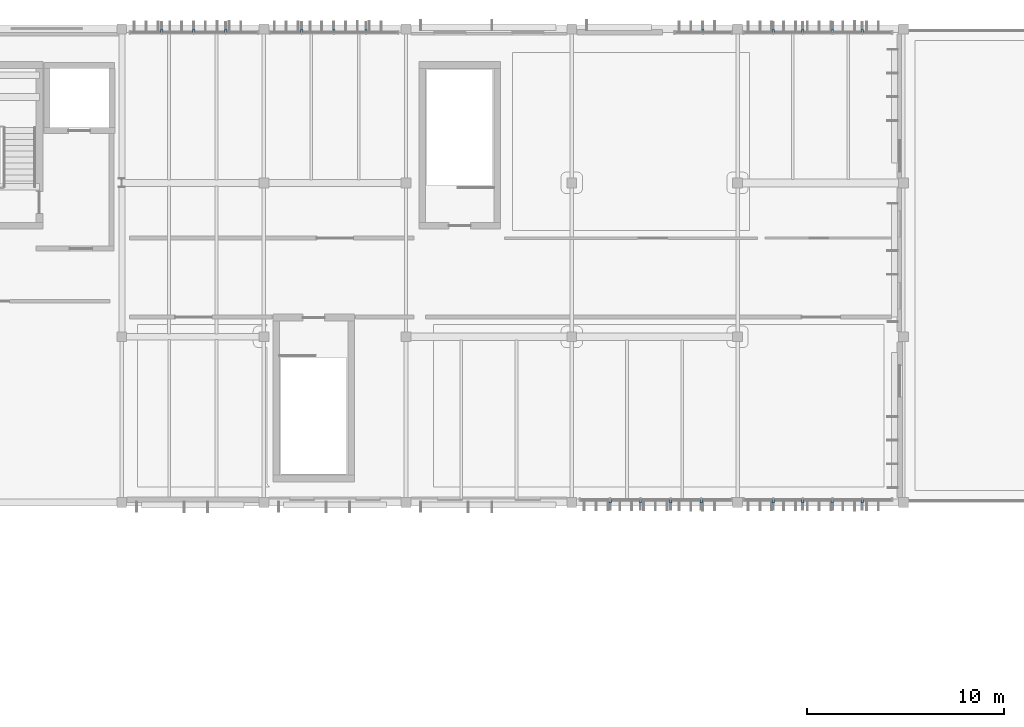
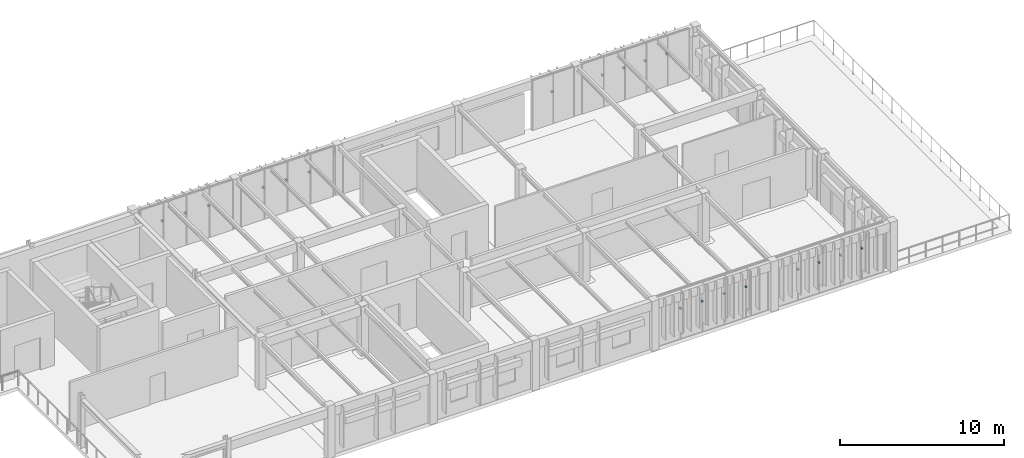
# One storey, part 28 of 44: 19 discrete accessories.
"""IFC4 building model written with IfcOpenShell, lengths in metres."""

from ifc_helpers import new_model, si_unit, direction, frame, origin, origin_2d, place, context, subcontext, project, spatial, rectangle, extrude, material, type_object, element, save


model = new_model("IFC4")

# Units and contexts
model_context = context("Model", 3, precision=1e-05, world=origin(), true_north=direction((0.0, 1.0)))
body_context = subcontext(model_context, "Body", "Model", "MODEL_VIEW")
ifc_project = project(units=[si_unit("LENGTHUNIT", "METRE"), si_unit("AREAUNIT", "SQUARE_METRE"), si_unit("VOLUMEUNIT", "CUBIC_METRE"), si_unit("PLANEANGLEUNIT", "RADIAN"), si_unit("MASSUNIT", "GRAM", prefix="KILO")], contexts=[model_context])

# Site, building, storey
site_placement = place(None, origin())
site = spatial("IfcSite", under=ifc_project, at=site_placement, CompositionType="ELEMENT")
building_placement = place(site_placement, origin())
building = spatial("IfcBuilding", under=site, at=building_placement, Name="Tazoul Stagehouse", CompositionType="ELEMENT")
storey_placement = place(building_placement, frame((0.0, 0.0, 13.199951171875)))
storey = spatial("IfcBuildingStorey", under=building, at=storey_placement, Name="L03", CompositionType="ELEMENT", Elevation=13.199951171875)

# Discrete accessories
ifc_material = material(Name="Austenitic Stainless Steel EN 1.4401", Category="steel")
discrete_accessory_type = type_object("IfcDiscreteAccessoryType", Name="Stainless Steel Louvre Support Cleat Bracket", PredefinedType="BRACKET", material=ifc_material)
for number, where, z_axis, x_axis, name in (
    (1, (104.625, 111.699951171875, 2.21923828125), (0.0, 0.0, 1.0), (1.0, 0.0, 0.0), "Cleat Bracket BRK-01 CW-V3-N1-L03-B1-BRK01"),
    (2, (106.25, 111.699951171875, 2.21923828125), (0.0, 0.0, 1.0), (1.0, 0.0, 0.0), "Cleat Bracket BRK-01 CW-V3-N1-L03-B1-BRK02"),
    (3, (107.875, 111.699951171875, 2.21923828125), (0.0, 0.0, 1.0), (1.0, 0.0, 0.0), "Cleat Bracket BRK-01 CW-V3-N1-L03-B1-BRK03"),
    (4, (111.72509765625, 111.699951171875, 2.21923828125), (0.0, 0.0, 1.0), (1.0, 0.0, 0.0), "Cleat Bracket BRK-01 CW-V3-N1-L03-B2-BRK01"),
    (5, (113.35009765625, 111.699951171875, 2.21923828125), (0.0, 0.0, 1.0), (1.0, 0.0, 0.0), "Cleat Bracket BRK-01 CW-V3-N1-L03-B2-BRK02"),
    (6, (114.97509765625, 111.699951171875, 2.21923828125), (0.0, 0.0, 1.0), (1.0, 0.0, 0.0), "Cleat Bracket BRK-01 CW-V3-N1-L03-B2-BRK03"),
    (7, (132.050048828125, 111.699951171875, 2.21923828125), (0.0, 0.0, 1.0), (1.0, 0.0, 0.0), "Cleat Bracket BRK-01 CW-V3-N3-L03-B1-BRK01"),
    (8, (135.60400390625, 111.699951171875, 2.21923828125), (0.0, 0.0, 1.0), (1.0, 0.0, 0.0), "Cleat Bracket BRK-01 CW-V3-N3-L03-B2-BRK01"),
    (9, (137.10791015625, 111.699951171875, 2.21923828125), (0.0, 0.0, 1.0), (1.0, 0.0, 0.0), "Cleat Bracket BRK-01 CW-V3-N3-L03-B2-BRK02"),
    (10, (138.612060546875, 111.699951171875, 2.21923828125), (0.0, 0.0, 1.0), (1.0, 0.0, 0.0), "Cleat Bracket BRK-01 CW-V3-N3-L03-B2-BRK03"),
    (11, (140.115966796875, 111.699951171875, 2.21923828125), (0.0, 0.0, 1.0), (1.0, 0.0, 0.0), "Cleat Bracket BRK-01 CW-V3-N3-L03-B2-BRK04"),
    (12, (127.340087890625, 87.8701171875, 2.21923828125), (0.0, 0.0, 1.0), (1.0, 0.0, 0.0), "Cleat Bracket BRK-01 CW-V3-S2-L03-B1-BRK01"),
    (13, (128.8798828125, 87.8701171875, 2.21923828125), (0.0, 0.0, 1.0), (1.0, 0.0, 0.0), "Cleat Bracket BRK-01 CW-V3-S2-L03-B1-BRK02"),
    (14, (130.419921875, 87.8701171875, 2.21923828125), (0.0, 0.0, 1.0), (1.0, 0.0, 0.0), "Cleat Bracket BRK-01 CW-V3-S2-L03-B1-BRK03"),
    (15, (131.9599609375, 87.8701171875, 2.21923828125), (0.0, 0.0, 1.0), (1.0, 0.0, 0.0), "Cleat Bracket BRK-01 CW-V3-S2-L03-B1-BRK04"),
    (16, (135.60400390625, 87.8701171875, 2.21923828125), (0.0, 0.0, 1.0), (1.0, 0.0, 0.0), "Cleat Bracket BRK-01 CW-V3-S2-L03-B2-BRK01"),
    (17, (137.10791015625, 87.8701171875, 2.21923828125), (0.0, 0.0, 1.0), (1.0, 0.0, 0.0), "Cleat Bracket BRK-01 CW-V3-S2-L03-B2-BRK02"),
    (18, (138.612060546875, 87.8701171875, 2.21923828125), (0.0, 0.0, 1.0), (1.0, 0.0, 0.0), "Cleat Bracket BRK-01 CW-V3-S2-L03-B2-BRK03"),
    (19, (140.115966796875, 87.8701171875, 2.21923828125), (0.0, 0.0, 1.0), (1.0, 0.0, 0.0), "Cleat Bracket BRK-01 CW-V3-S2-L03-B2-BRK04"),
):
    element("IfcDiscreteAccessory", number, at=place(storey_placement, frame(where, z_axis=z_axis, x_axis=x_axis)), inside=storey, type_object=discrete_accessory_type, Name=name, PredefinedType="BRACKET", context=body_context, shape_type="SweptSolid", body=[
        extrude(rectangle(XDim=0.1201171875, YDim=0.159912109375, at=origin_2d()), origin(), (0.0, 0.0, 1.0), 0.1201171875),
    ])

save(model, "model.ifc")
